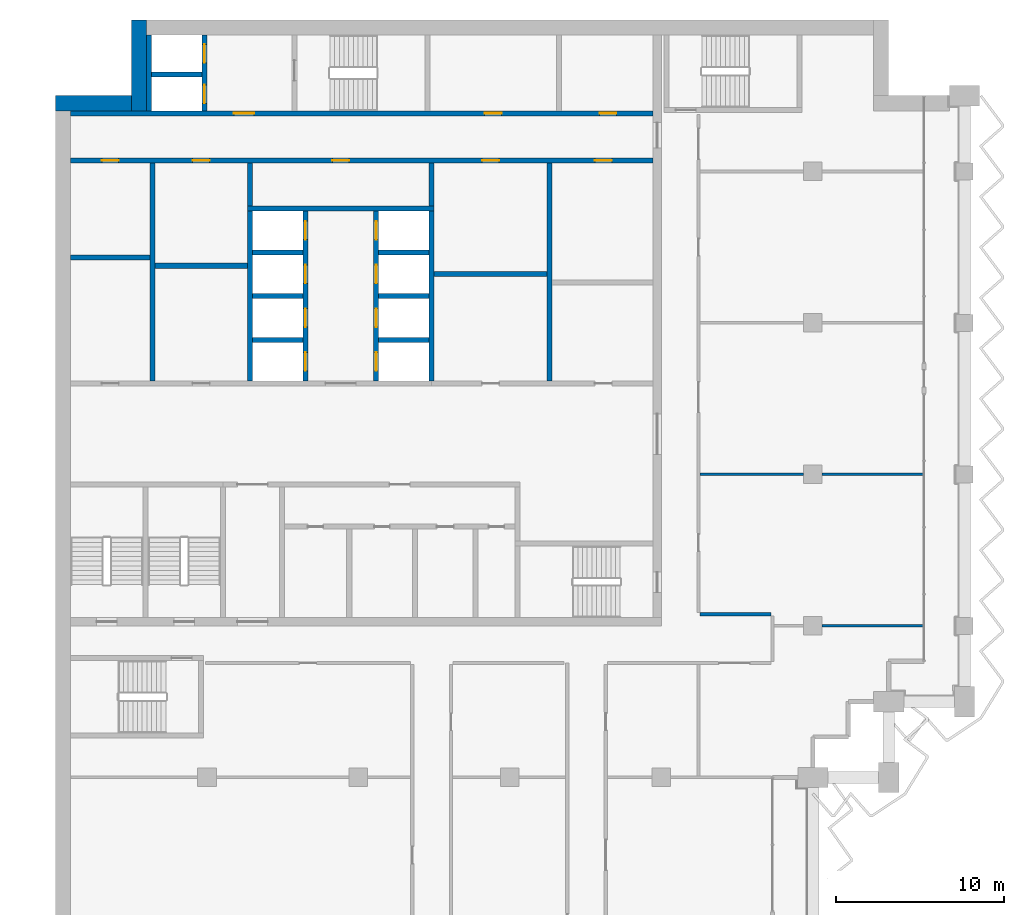
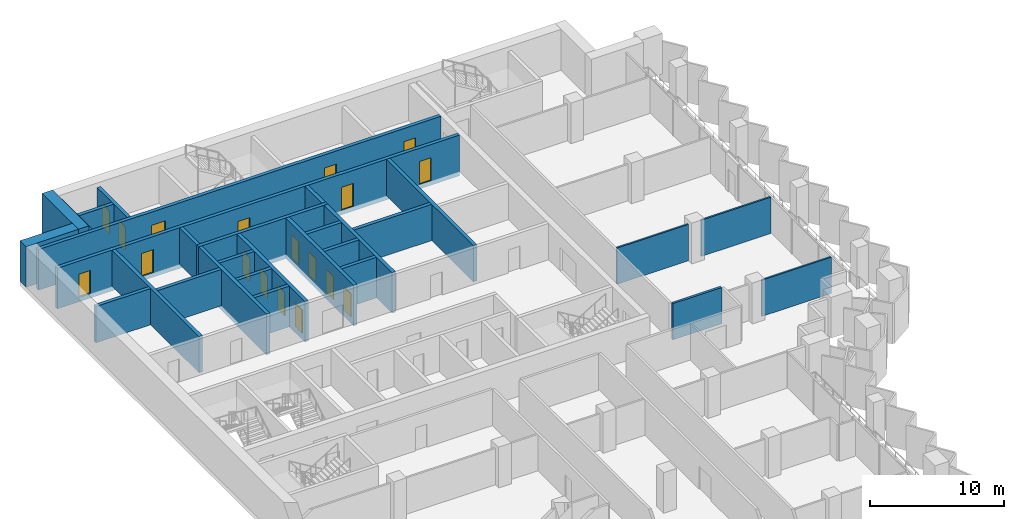
# One storey, part 10 of 17: 29 walls, 18 doors, 18 openings.
"""IFC4 building model written with IfcOpenShell, lengths in metres."""

from ifc_helpers import new_model, si_unit, direction, frame, frame_2d, origin, place, context, subcontext, project, spatial, rectangle, extrude, material, layer, layer_set, type_object, element, fill, save


model = new_model("IFC4")

# Units and contexts
model_context = context("Model", 3, precision=1e-05, world=origin(), true_north=direction((0.0, 1.0)))
body_context = subcontext(model_context, "Body", "Model", "MODEL_VIEW")
ifc_project = project(units=[si_unit("LENGTHUNIT", "METRE"), si_unit("AREAUNIT", "SQUARE_METRE"), si_unit("VOLUMEUNIT", "CUBIC_METRE"), si_unit("PLANEANGLEUNIT", "RADIAN"), si_unit("MASSUNIT", "GRAM", prefix="KILO")], contexts=[model_context])

# Site, building, storey
site_placement = place(None, origin())
site = spatial("IfcSite", under=ifc_project, at=site_placement, CompositionType="ELEMENT")
building_placement = place(site_placement, origin())
building = spatial("IfcBuilding", under=site, at=building_placement, Name="Hunhe Ridgeline Campus", CompositionType="ELEMENT")
storey_placement = place(building_placement, frame((0.0, 0.0, 208.699951171875)))
storey = spatial("IfcBuildingStorey", under=building, at=storey_placement, Name="L53", CompositionType="ELEMENT", Elevation=208.699951171875)

# Walls
ifc_material_1 = material(Name="Masonry concrete blockwork", Category="masonry")
ifc_layer_1 = layer(ifc_material_1, 0.300048828125)
ifc_layer_set_1 = layer_set([ifc_layer_1], Name="Core room partition 300 concrete block")
wall_type_1 = type_object("IfcWallType", Name="Core room partition 300 concrete block", PredefinedType="PARTITIONING", material=ifc_layer_set_1)
wall_1_placement = place(storey_placement, frame((22.5, 83.89990234375, 0.0), z_axis=(0.0, 0.0, 1.0), x_axis=(1.0, 0.0, 0.0)))
element("IfcWall", 1, at=wall_1_placement, inside=storey, type_object=wall_type_1, Name="L53 core partition 19", PredefinedType="PARTITIONING", context=body_context, shape_type="SweptSolid", body=[
    extrude(rectangle(XDim=6.699951171875, YDim=0.300048828125, at=frame_2d((3.35009765625, 0.0))), origin(), (0.0, 0.0, 1.0), 3.300048828125),
])
wall_2_placement = place(storey_placement, frame((5.89990234375, 84.39990234375, 0.0), z_axis=(0.0, 0.0, 1.0), x_axis=(1.0, 0.0, 0.0)))
element("IfcWall", 2, at=wall_2_placement, inside=storey, type_object=wall_type_1, Name="L53 core partition 20", PredefinedType="PARTITIONING", context=body_context, shape_type="SweptSolid", body=[
    extrude(rectangle(XDim=5.5, YDim=0.300048828125, at=frame_2d((2.75, 0.0))), origin(), (0.0, 0.0, 1.0), 3.300048828125),
])
wall_3_placement = place(storey_placement, frame((0.89990234375, 84.89990234375, 0.0), z_axis=(0.0, 0.0, 1.0), x_axis=(1.0, 0.0, 0.0)))
element("IfcWall", 3, at=wall_3_placement, inside=storey, type_object=wall_type_1, Name="L53 core partition 21", PredefinedType="PARTITIONING", context=body_context, shape_type="SweptSolid", body=[
    extrude(rectangle(XDim=4.7001953125, YDim=0.300048828125, at=frame_2d((2.35009765625, 0.0))), origin(), (0.0, 0.0, 1.0), 3.300048828125),
])
wall_4_placement = place(storey_placement, frame((5.75, 77.550048828125, 0.0), z_axis=(0.0, 0.0, 1.0), x_axis=(0.0, 1.0, 0.0)))
element("IfcWall", 4, at=wall_4_placement, inside=storey, type_object=wall_type_1, Name="L53 core partition 31", PredefinedType="PARTITIONING", context=body_context, shape_type="SweptSolid", body=[
    extrude(rectangle(XDim=12.949951171875, YDim=0.300048828125, at=frame_2d((6.47509765625, 0.0))), origin(), (0.0, 0.0, 1.0), 3.300048828125),
])
for number, where, z_axis, x_axis, name in (
    (5, (11.550048828125, 87.949951171875, 0.0), (0.0, 0.0, 1.0), (0.0, 1.0, 0.0), "L53 core partition 37"),
    (6, (22.35009765625, 87.949951171875, 0.0), (0.0, 0.0, 1.0), (0.0, 1.0, 0.0), "L53 core partition 47"),
):
    element("IfcWall", number, at=place(storey_placement, frame(where, z_axis=z_axis, x_axis=x_axis)), inside=storey, type_object=wall_type_1, Name=name, PredefinedType="PARTITIONING", context=body_context, shape_type="SweptSolid", body=[
        extrude(rectangle(XDim=2.550048828125, YDim=0.300048828125, at=frame_2d((1.27490234375, 0.0))), origin(), (0.0, 0.0, 1.0), 3.300048828125),
    ])
wall_5_placement = place(storey_placement, frame((29.35009765625, 77.550048828125, 0.0), z_axis=(0.0, 0.0, 1.0), x_axis=(0.0, 1.0, 0.0)))
element("IfcWall", 7, at=wall_5_placement, inside=storey, type_object=wall_type_1, Name="L53 core partition 52", PredefinedType="PARTITIONING", context=body_context, shape_type="SweptSolid", body=[
    extrude(rectangle(XDim=12.949951171875, YDim=0.300048828125, at=frame_2d((6.47509765625, 0.0))), origin(), (0.0, 0.0, 1.0), 3.300048828125),
])
ifc_material_2 = material(Name="Gypsum board partition")
ifc_layer_2 = layer(ifc_material_2, 0.199951171875)
ifc_layer_set_2 = layer_set([ifc_layer_2], Name="Corridor partition 200 gypsum board on steel studs")
wall_type_2 = type_object("IfcWallType", Name="Corridor partition 200 gypsum board on steel studs", PredefinedType="PARTITIONING", material=ifc_layer_set_2)
wall_6_placement = place(storey_placement, frame((38.300048828125, 63.699951171875, 0.0), z_axis=(0.0, 0.0, 1.0), x_axis=(1.0, 0.0, 0.0)))
element("IfcWall", 8, at=wall_6_placement, inside=storey, type_object=wall_type_2, Name="F-L53-wall-038", PredefinedType="PARTITIONING", context=body_context, shape_type="SweptSolid", body=[
    extrude(rectangle(XDim=4.199951171875, YDim=0.199951171875, at=frame_2d((2.10009765625, 0.0))), origin(), (0.0, 0.0, 1.0), 3.300048828125),
])

# Wall, openings, doors
ifc_material_3 = material(Name="Concrete C60", Category="concrete")
ifc_layer_3 = layer(ifc_material_3, 0.300048828125)
ifc_layer_set_3 = layer_set([ifc_layer_3], Name="Lobby wall 300 reinforced concrete C60")
wall_type_3 = type_object("IfcWallType", Name="Lobby wall 300 reinforced concrete C60", PredefinedType="SOLIDWALL", material=ifc_layer_set_3)
wall_7_placement = place(storey_placement, frame((0.89990234375, 90.64990234375, -0.39990234375), z_axis=(0.0, 0.0, 1.0), x_axis=(1.0, 0.0, 0.0)))
wall_7 = element("IfcWall", 9, at=wall_7_placement, inside=storey, type_object=wall_type_3, Name="L53 core wall 25", PredefinedType="SOLIDWALL", context=body_context, shape_type="SweptSolid", body=[
    extrude(rectangle(XDim=34.60009765625, YDim=0.300048828125, at=frame_2d((17.300048828125, 0.0))), origin(), (0.0, 0.0, 1.0), 3.699951171875),
])
opening_1_placement = place(wall_7_placement, frame((15.550048828125, 0.0, 0.39990234375)))
opening_1 = element("IfcOpeningElement", 10, at=opening_1_placement, cuts=wall_7, Name="Opening CD26", PredefinedType="OPENING", context=body_context, shape_type="SweptSolid", body=[
    extrude(rectangle(XDim=1.0, YDim=2.10009765625, at=frame_2d((0.5, 1.050048828125))), frame((0.0, 0.14990234375, 0.0), z_axis=(0.0, -1.0, 0.0), x_axis=(1.0, 0.0, 0.0)), (0.0, 0.0, 1.0), 0.300048828125),
])
opening_2_placement = place(wall_7_placement, frame((1.85009765625, 0.0, 0.39990234375)))
opening_2 = element("IfcOpeningElement", 11, at=opening_2_placement, cuts=wall_7, Name="Opening CD40", PredefinedType="OPENING", context=body_context, shape_type="SweptSolid", body=[
    extrude(rectangle(XDim=1.0, YDim=2.10009765625, at=frame_2d((0.5, 1.050048828125))), frame((0.0, 0.14990234375, 0.0), z_axis=(0.0, -1.0, 0.0), x_axis=(1.0, 0.0, 0.0)), (0.0, 0.0, 1.0), 0.300048828125),
])
opening_3_placement = place(wall_7_placement, frame((7.25, 0.0, 0.39990234375)))
opening_3 = element("IfcOpeningElement", 12, at=opening_3_placement, cuts=wall_7, Name="Opening CD43", PredefinedType="OPENING", context=body_context, shape_type="SweptSolid", body=[
    extrude(rectangle(XDim=1.0, YDim=2.10009765625, at=frame_2d((0.5, 1.050048828125))), frame((0.0, 0.14990234375, 0.0), z_axis=(0.0, -1.0, 0.0), x_axis=(1.0, 0.0, 0.0)), (0.0, 0.0, 1.0), 0.300048828125),
])
opening_4_placement = place(wall_7_placement, frame((24.449951171875, 0.0, 0.39990234375)))
opening_4 = element("IfcOpeningElement", 13, at=opening_4_placement, cuts=wall_7, Name="Opening CD33", PredefinedType="OPENING", context=body_context, shape_type="SweptSolid", body=[
    extrude(rectangle(XDim=1.0, YDim=2.10009765625, at=frame_2d((0.5, 1.050048828125))), frame((0.0, 0.14990234375, 0.0), z_axis=(0.0, -1.0, 0.0), x_axis=(1.0, 0.0, 0.0)), (0.0, 0.0, 1.0), 0.300048828125),
])
opening_5_placement = place(wall_7_placement, frame((31.14990234375, 0.0, 0.39990234375)))
opening_5 = element("IfcOpeningElement", 14, at=opening_5_placement, cuts=wall_7, Name="Opening CD44", PredefinedType="OPENING", context=body_context, shape_type="SweptSolid", body=[
    extrude(rectangle(XDim=1.0, YDim=2.10009765625, at=frame_2d((0.5, 1.050048828125))), frame((0.0, 0.14990234375, 0.0), z_axis=(0.0, -1.0, 0.0), x_axis=(1.0, 0.0, 0.0)), (0.0, 0.0, 1.0), 0.300048828125),
])
ifc_material_4 = material(Name="Solid core timber door leaf", Category="wood")
door_type_1 = type_object("IfcDoorType", Name="Timber door 1000x2100", OperationType="SINGLE_SWING_LEFT", PredefinedType="DOOR", material=ifc_material_4)
door_1_placement = place(opening_1_placement, frame((1.0, 0.0, 0.0), z_axis=(0.0, 0.0, 1.0), x_axis=(-1.0, 0.0, 0.0)))
door_1 = element("IfcDoor", 15, at=door_1_placement, inside=storey, type_object=door_type_1, Name="L53 door NR-0", OperationType="SINGLE_SWING_LEFT", OverallHeight=2.10009765625, OverallWidth=1.0, PredefinedType="DOOR", context=body_context, shape_type="SweptSolid", body=[
    extrude(rectangle(XDim=1.0, YDim=2.10009765625, at=frame_2d((0.5, 1.050048828125))), frame((0.0, 0.02490234375, 0.0), z_axis=(0.0, -1.0, 0.0), x_axis=(1.0, 0.0, 0.0)), (0.0, 0.0, 1.0), 0.050048828125),
])
fill(opening_1, door_1)
door_2_placement = place(opening_2_placement, frame((1.0, 0.0, 0.0), z_axis=(0.0, 0.0, 1.0), x_axis=(-1.0, 0.0, 0.0)))
door_2 = element("IfcDoor", 16, at=door_2_placement, inside=storey, type_object=door_type_1, Name="L53 door VD-LR1", OperationType="SINGLE_SWING_LEFT", OverallHeight=2.10009765625, OverallWidth=1.0, PredefinedType="DOOR", context=body_context, shape_type="SweptSolid", body=[
    extrude(rectangle(XDim=1.0, YDim=2.10009765625, at=frame_2d((0.5, 1.050048828125))), frame((0.0, 0.02490234375, 0.0), z_axis=(0.0, -1.0, 0.0), x_axis=(1.0, 0.0, 0.0)), (0.0, 0.0, 1.0), 0.050048828125),
])
fill(opening_2, door_2)
door_3_placement = place(opening_3_placement, frame((1.0, 0.0, 0.0), z_axis=(0.0, 0.0, 1.0), x_axis=(-1.0, 0.0, 0.0)))
door_3 = element("IfcDoor", 17, at=door_3_placement, inside=storey, type_object=door_type_1, Name="L53 door VD-LR3", OperationType="SINGLE_SWING_LEFT", OverallHeight=2.10009765625, OverallWidth=1.0, PredefinedType="DOOR", context=body_context, shape_type="SweptSolid", body=[
    extrude(rectangle(XDim=1.0, YDim=2.10009765625, at=frame_2d((0.5, 1.050048828125))), frame((0.0, 0.02490234375, 0.0), z_axis=(0.0, -1.0, 0.0), x_axis=(1.0, 0.0, 0.0)), (0.0, 0.0, 1.0), 0.050048828125),
])
fill(opening_3, door_3)
door_4_placement = place(opening_4_placement, frame((1.0, 0.0, 0.0), z_axis=(0.0, 0.0, 1.0), x_axis=(-1.0, 0.0, 0.0)))
door_4 = element("IfcDoor", 18, at=door_4_placement, inside=storey, type_object=door_type_1, Name="L53 door ES1", OperationType="SINGLE_SWING_RIGHT", OverallHeight=2.10009765625, OverallWidth=1.0, PredefinedType="DOOR", context=body_context, shape_type="SweptSolid", body=[
    extrude(rectangle(XDim=1.0, YDim=2.10009765625, at=frame_2d((0.5, 1.050048828125))), frame((0.0, 0.02490234375, 0.0), z_axis=(0.0, -1.0, 0.0), x_axis=(1.0, 0.0, 0.0)), (0.0, 0.0, 1.0), 0.050048828125),
])
fill(opening_4, door_4)
door_5_placement = place(opening_5_placement, frame((1.0, 0.0, 0.0), z_axis=(0.0, 0.0, 1.0), x_axis=(-1.0, 0.0, 0.0)))
door_5 = element("IfcDoor", 19, at=door_5_placement, inside=storey, type_object=door_type_1, Name="L53 door ES3", OperationType="SINGLE_SWING_RIGHT", OverallHeight=2.10009765625, OverallWidth=1.0, PredefinedType="DOOR", context=body_context, shape_type="SweptSolid", body=[
    extrude(rectangle(XDim=1.0, YDim=2.10009765625, at=frame_2d((0.5, 1.050048828125))), frame((0.0, 0.02490234375, 0.0), z_axis=(0.0, -1.0, 0.0), x_axis=(1.0, 0.0, 0.0)), (0.0, 0.0, 1.0), 0.050048828125),
])
fill(opening_5, door_5)

# Walls
ifc_layer_4 = layer(ifc_material_2, 0.14990234375)
ifc_layer_set_4 = layer_set([ifc_layer_4], Name="Room partition 150 gypsum board on steel studs")
wall_type_4 = type_object("IfcWallType", Name="Room partition 150 gypsum board on steel studs", PredefinedType="PARTITIONING", material=ifc_layer_set_4)
wall_8_placement = place(storey_placement, frame((45.550048828125, 63.0, 0.0), z_axis=(0.0, 0.0, 1.0), x_axis=(1.0, 0.0, 0.0)))
element("IfcWall", 20, at=wall_8_placement, inside=storey, type_object=wall_type_4, Name="F-L53-wall-037", PredefinedType="PARTITIONING", context=body_context, shape_type="SweptSolid", body=[
    extrude(rectangle(XDim=5.994873046875, YDim=0.14990234375, at=frame_2d((2.99755859375, 0.0))), origin(), (0.0, 0.0, 1.0), 3.300048828125),
])
wall_9_placement = place(storey_placement, frame((38.300048828125, 72.0, 0.0), z_axis=(0.0, 0.0, 1.0), x_axis=(1.0, 0.0, 0.0)))
element("IfcWall", 21, at=wall_9_placement, inside=storey, type_object=wall_type_4, Name="F-L53-wall-039", PredefinedType="PARTITIONING", context=body_context, shape_type="SweptSolid", body=[
    extrude(rectangle(XDim=6.14990234375, YDim=0.14990234375, at=frame_2d((3.074951171875, 0.0))), origin(), (0.0, 0.0, 1.0), 3.300048828125),
])
wall_10_placement = place(storey_placement, frame((45.550048828125, 72.0, 0.0), z_axis=(0.0, 0.0, 1.0), x_axis=(1.0, 0.0, 0.0)))
element("IfcWall", 22, at=wall_10_placement, inside=storey, type_object=wall_type_4, Name="F-L53-wall-040", PredefinedType="PARTITIONING", context=body_context, shape_type="SweptSolid", body=[
    extrude(rectangle(XDim=5.994873046875, YDim=0.14990234375, at=frame_2d((2.99755859375, 0.0))), origin(), (0.0, 0.0, 1.0), 3.300048828125),
])
ifc_layer_5 = layer(ifc_material_3, 0.300048828125)
ifc_layer_set_5 = layer_set([ifc_layer_5], Name="Shaft wall 300 reinforced concrete C60")
wall_type_5 = type_object("IfcWallType", Name="Shaft wall 300 reinforced concrete C60", PredefinedType="SOLIDWALL", material=ifc_layer_set_5)
for number, where, z_axis, x_axis, name in (
    (23, (11.699951171875, 80.0, -0.39990234375), (0.0, 0.0, 1.0), (1.0, 0.0, 0.0), "L53 core wall 14"),
    (24, (19.199951171875, 80.0, -0.39990234375), (0.0, 0.0, 1.0), (1.0, 0.0, 0.0), "L53 core wall 15"),
    (25, (11.699951171875, 82.60009765625, -0.39990234375), (0.0, 0.0, 1.0), (1.0, 0.0, 0.0), "L53 core wall 16"),
    (26, (19.199951171875, 82.60009765625, -0.39990234375), (0.0, 0.0, 1.0), (1.0, 0.0, 0.0), "L53 core wall 17"),
    (27, (11.699951171875, 85.199951171875, -0.39990234375), (0.0, 0.0, 1.0), (1.0, 0.0, 0.0), "L53 core wall 22"),
    (28, (19.199951171875, 85.199951171875, -0.39990234375), (0.0, 0.0, 1.0), (1.0, 0.0, 0.0), "L53 core wall 23"),
):
    element("IfcWall", number, at=place(storey_placement, frame(where, z_axis=z_axis, x_axis=x_axis)), inside=storey, type_object=wall_type_5, Name=name, PredefinedType="SOLIDWALL", context=body_context, shape_type="SweptSolid", body=[
        extrude(rectangle(XDim=3.0, YDim=0.300048828125, at=frame_2d((1.5, 0.0))), origin(), (0.0, 0.0, 1.0), 3.699951171875),
    ])
wall_11_placement = place(storey_placement, frame((11.39990234375, 87.800048828125, -0.39990234375), z_axis=(0.0, 0.0, 1.0), x_axis=(1.0, 0.0, 0.0)))
element("IfcWall", 29, at=wall_11_placement, inside=storey, type_object=wall_type_5, Name="L53 core wall 24", PredefinedType="SOLIDWALL", context=body_context, shape_type="SweptSolid", body=[
    extrude(rectangle(XDim=11.10009765625, YDim=0.300048828125, at=frame_2d((5.550048828125, 0.0))), origin(), (0.0, 0.0, 1.0), 3.699951171875),
])

# Wall, openings, doors
wall_12_placement = place(storey_placement, frame((0.89990234375, 93.449951171875, -0.39990234375), z_axis=(0.0, 0.0, 1.0), x_axis=(1.0, 0.0, 0.0)))
wall_12 = element("IfcWall", 30, at=wall_12_placement, inside=storey, type_object=wall_type_5, Name="L53 core wall 26", PredefinedType="SOLIDWALL", context=body_context, shape_type="SweptSolid", body=[
    extrude(rectangle(XDim=34.60009765625, YDim=0.300048828125, at=frame_2d((17.300048828125, 0.0))), origin(), (0.0, 0.0, 1.0), 3.699951171875),
])
opening_6_placement = place(wall_12_placement, frame((9.699951171875, 0.0, 0.39990234375)))
opening_6 = element("IfcOpeningElement", 31, at=opening_6_placement, cuts=wall_12, Name="Opening CD3", PredefinedType="OPENING", context=body_context, shape_type="SweptSolid", body=[
    extrude(rectangle(XDim=1.199951171875, YDim=2.10009765625, at=frame_2d((0.60009765625, 1.050048828125))), frame((0.0, 0.14990234375, 0.0), z_axis=(0.0, -1.0, 0.0), x_axis=(1.0, 0.0, 0.0)), (0.0, 0.0, 1.0), 0.300048828125),
])
opening_7_placement = place(wall_12_placement, frame((24.60009765625, 0.0, 0.39990234375)))
opening_7 = element("IfcOpeningElement", 32, at=opening_7_placement, cuts=wall_12, Name="Opening CD34", PredefinedType="OPENING", context=body_context, shape_type="SweptSolid", body=[
    extrude(rectangle(XDim=1.0, YDim=2.10009765625, at=frame_2d((0.5, 1.050048828125))), frame((0.0, 0.14990234375, 0.0), z_axis=(0.0, -1.0, 0.0), x_axis=(1.0, 0.0, 0.0)), (0.0, 0.0, 1.0), 0.300048828125),
])
opening_8_placement = place(wall_12_placement, frame((31.425048828125, 0.0, 0.39990234375)))
opening_8 = element("IfcOpeningElement", 33, at=opening_8_placement, cuts=wall_12, Name="Opening CD35", PredefinedType="OPENING", context=body_context, shape_type="SweptSolid", body=[
    extrude(rectangle(XDim=1.0, YDim=2.10009765625, at=frame_2d((0.5, 1.050048828125))), frame((0.0, 0.14990234375, 0.0), z_axis=(0.0, -1.0, 0.0), x_axis=(1.0, 0.0, 0.0)), (0.0, 0.0, 1.0), 0.300048828125),
])
ifc_material_5 = material(Name="Hollow metal fire door leaf")
door_type_2 = type_object("IfcDoorType", Name="Lobby door 1200x2100 FD60", OperationType="SINGLE_SWING_LEFT", PredefinedType="DOOR", material=ifc_material_5)
door_6_placement = place(opening_6_placement, frame((1.199951171875, 0.0, 0.0), z_axis=(0.0, 0.0, 1.0), x_axis=(-1.0, 0.0, 0.0)))
door_6 = element("IfcDoor", 34, at=door_6_placement, inside=storey, type_object=door_type_2, Name="L53 door FF-C1", OperationType="SINGLE_SWING_RIGHT", OverallHeight=2.10009765625, OverallWidth=1.199951171875, PredefinedType="DOOR", context=body_context, shape_type="SweptSolid", body=[
    extrude(rectangle(XDim=1.199951171875, YDim=2.10009765625, at=frame_2d((0.60009765625, 1.050048828125))), frame((0.0, 0.02490234375, 0.0), z_axis=(0.0, -1.0, 0.0), x_axis=(1.0, 0.0, 0.0)), (0.0, 0.0, 1.0), 0.050048828125),
])
fill(opening_6, door_6)
door_7_placement = place(opening_7_placement, origin())
door_7 = element("IfcDoor", 35, at=door_7_placement, inside=storey, type_object=door_type_1, Name="L53 door NB0", OperationType="SINGLE_SWING_RIGHT", OverallHeight=2.10009765625, OverallWidth=1.0, PredefinedType="DOOR", context=body_context, shape_type="SweptSolid", body=[
    extrude(rectangle(XDim=1.0, YDim=2.10009765625, at=frame_2d((0.5, 1.050048828125))), frame((0.0, 0.02490234375, 0.0), z_axis=(0.0, -1.0, 0.0), x_axis=(1.0, 0.0, 0.0)), (0.0, 0.0, 1.0), 0.050048828125),
])
fill(opening_7, door_7)
door_8_placement = place(opening_8_placement, origin())
door_8 = element("IfcDoor", 36, at=door_8_placement, inside=storey, type_object=door_type_1, Name="L53 door NB1", OperationType="SINGLE_SWING_LEFT", OverallHeight=2.10009765625, OverallWidth=1.0, PredefinedType="DOOR", context=body_context, shape_type="SweptSolid", body=[
    extrude(rectangle(XDim=1.0, YDim=2.10009765625, at=frame_2d((0.5, 1.050048828125))), frame((0.0, 0.02490234375, 0.0), z_axis=(0.0, -1.0, 0.0), x_axis=(1.0, 0.0, 0.0)), (0.0, 0.0, 1.0), 0.050048828125),
])
fill(opening_8, door_8)

# Walls
wall_13_placement = place(storey_placement, frame((5.699951171875, 95.75, -0.39990234375), z_axis=(0.0, 0.0, 1.0), x_axis=(1.0, 0.0, 0.0)))
element("IfcWall", 37, at=wall_13_placement, inside=storey, type_object=wall_type_5, Name="L53 core wall 28", PredefinedType="SOLIDWALL", context=body_context, shape_type="SweptSolid", body=[
    extrude(rectangle(XDim=3.0, YDim=0.300048828125, at=frame_2d((1.5, 0.0))), origin(), (0.0, 0.0, 1.0), 3.699951171875),
])
wall_14_placement = place(storey_placement, frame((5.550048828125, 93.60009765625, -0.39990234375), z_axis=(0.0, 0.0, 1.0), x_axis=(0.0, 1.0, 0.0)))
element("IfcWall", 38, at=wall_14_placement, inside=storey, type_object=wall_type_5, Name="L53 core wall 30", PredefinedType="SOLIDWALL", context=body_context, shape_type="SweptSolid", body=[
    extrude(rectangle(XDim=4.5, YDim=0.300048828125, at=frame_2d((2.25, 0.0))), origin(), (0.0, 0.0, 1.0), 3.699951171875),
])

# Wall, openings, doors
wall_15_placement = place(storey_placement, frame((8.85009765625, 93.60009765625, -0.39990234375), z_axis=(0.0, 0.0, 1.0), x_axis=(0.0, 1.0, 0.0)))
wall_15 = element("IfcWall", 39, at=wall_15_placement, inside=storey, type_object=wall_type_5, Name="L53 core wall 34", PredefinedType="SOLIDWALL", context=body_context, shape_type="SweptSolid", body=[
    extrude(rectangle(XDim=4.5, YDim=0.300048828125, at=frame_2d((2.25, 0.0))), origin(), (0.0, 0.0, 1.0), 3.699951171875),
])
opening_9_placement = place(wall_15_placement, frame((0.449951171875, 0.0, 0.39990234375)))
opening_9 = element("IfcOpeningElement", 40, at=opening_9_placement, cuts=wall_15, Name="Opening LD-FF1", PredefinedType="OPENING", context=body_context, shape_type="SweptSolid", body=[
    extrude(rectangle(XDim=1.10009765625, YDim=2.10009765625, at=frame_2d((0.550048828125, 1.050048828125))), frame((0.0, 0.14990234375, 0.0), z_axis=(0.0, -1.0, 0.0), x_axis=(1.0, 0.0, 0.0)), (0.0, 0.0, 1.0), 0.300048828125),
])
opening_10_placement = place(wall_15_placement, frame((2.85009765625, 0.0, 0.39990234375)))
opening_10 = element("IfcOpeningElement", 41, at=opening_10_placement, cuts=wall_15, Name="Opening LD-FF2", PredefinedType="OPENING", context=body_context, shape_type="SweptSolid", body=[
    extrude(rectangle(XDim=1.10009765625, YDim=2.10009765625, at=frame_2d((0.550048828125, 1.050048828125))), frame((0.0, 0.14990234375, 0.0), z_axis=(0.0, -1.0, 0.0), x_axis=(1.0, 0.0, 0.0)), (0.0, 0.0, 1.0), 0.300048828125),
])
ifc_material_6 = material(Name="Stainless steel sliding leaves", Category="steel")
door_type_3 = type_object("IfcDoorType", Name="Landing door 1100x2100 FD120", OperationType="SLIDING_TO_LEFT", PredefinedType="DOOR", material=ifc_material_6)
door_9_placement = place(opening_9_placement, origin())
door_9 = element("IfcDoor", 42, at=door_9_placement, inside=storey, type_object=door_type_3, Name="L53 landing door FF1", OperationType="SLIDING_TO_RIGHT", OverallHeight=2.10009765625, OverallWidth=1.10009765625, PredefinedType="DOOR", context=body_context, shape_type="SweptSolid", body=[
    extrude(rectangle(XDim=1.10009765625, YDim=2.10009765625, at=frame_2d((0.550048828125, 1.050048828125))), frame((0.0, 0.02490234375, 0.0), z_axis=(0.0, -1.0, 0.0), x_axis=(1.0, 0.0, 0.0)), (0.0, 0.0, 1.0), 0.050048828125),
])
fill(opening_9, door_9)
door_10_placement = place(opening_10_placement, origin())
door_10 = element("IfcDoor", 43, at=door_10_placement, inside=storey, type_object=door_type_3, Name="L53 landing door FF2", OperationType="SLIDING_TO_LEFT", OverallHeight=2.10009765625, OverallWidth=1.10009765625, PredefinedType="DOOR", context=body_context, shape_type="SweptSolid", body=[
    extrude(rectangle(XDim=1.10009765625, YDim=2.10009765625, at=frame_2d((0.550048828125, 1.050048828125))), frame((0.0, 0.02490234375, 0.0), z_axis=(0.0, -1.0, 0.0), x_axis=(1.0, 0.0, 0.0)), (0.0, 0.0, 1.0), 0.050048828125),
])
fill(opening_10, door_10)

# Wall
wall_16_placement = place(storey_placement, frame((11.550048828125, 77.550048828125, -0.39990234375), z_axis=(0.0, 0.0, 1.0), x_axis=(0.0, 1.0, 0.0)))
element("IfcWall", 44, at=wall_16_placement, inside=storey, type_object=wall_type_5, Name="L53 core wall 36", PredefinedType="SOLIDWALL", context=body_context, shape_type="SweptSolid", body=[
    extrude(rectangle(XDim=10.099853515625, YDim=0.300048828125, at=frame_2d((5.0498046875, 0.0))), origin(), (0.0, 0.0, 1.0), 3.699951171875),
])

# Wall, openings, doors
wall_17_placement = place(storey_placement, frame((14.85009765625, 77.550048828125, -0.39990234375), z_axis=(0.0, 0.0, 1.0), x_axis=(0.0, 1.0, 0.0)))
wall_17 = element("IfcWall", 45, at=wall_17_placement, inside=storey, type_object=wall_type_5, Name="L53 core wall 40", PredefinedType="SOLIDWALL", context=body_context, shape_type="SweptSolid", body=[
    extrude(rectangle(XDim=10.099853515625, YDim=0.300048828125, at=frame_2d((5.0498046875, 0.0))), origin(), (0.0, 0.0, 1.0), 3.699951171875),
])
opening_11_placement = place(wall_17_placement, frame((0.60009765625, 0.0, 0.39990234375)))
opening_11 = element("IfcOpeningElement", 46, at=opening_11_placement, cuts=wall_17, Name="Opening LD-HR1", PredefinedType="OPENING", context=body_context, shape_type="SweptSolid", body=[
    extrude(rectangle(XDim=1.10009765625, YDim=2.10009765625, at=frame_2d((0.550048828125, 1.050048828125))), frame((0.0, 0.14990234375, 0.0), z_axis=(0.0, -1.0, 0.0), x_axis=(1.0, 0.0, 0.0)), (0.0, 0.0, 1.0), 0.300048828125),
])
opening_12_placement = place(wall_17_placement, frame((3.199951171875, 0.0, 0.39990234375)))
opening_12 = element("IfcOpeningElement", 47, at=opening_12_placement, cuts=wall_17, Name="Opening LD-HR2", PredefinedType="OPENING", context=body_context, shape_type="SweptSolid", body=[
    extrude(rectangle(XDim=1.10009765625, YDim=2.10009765625, at=frame_2d((0.550048828125, 1.050048828125))), frame((0.0, 0.14990234375, 0.0), z_axis=(0.0, -1.0, 0.0), x_axis=(1.0, 0.0, 0.0)), (0.0, 0.0, 1.0), 0.300048828125),
])
opening_13_placement = place(wall_17_placement, frame((5.800048828125, 0.0, 0.39990234375)))
opening_13 = element("IfcOpeningElement", 48, at=opening_13_placement, cuts=wall_17, Name="Opening LD-HR3", PredefinedType="OPENING", context=body_context, shape_type="SweptSolid", body=[
    extrude(rectangle(XDim=1.10009765625, YDim=2.10009765625, at=frame_2d((0.550048828125, 1.050048828125))), frame((0.0, 0.14990234375, 0.0), z_axis=(0.0, -1.0, 0.0), x_axis=(1.0, 0.0, 0.0)), (0.0, 0.0, 1.0), 0.300048828125),
])
opening_14_placement = place(wall_17_placement, frame((8.39990234375, 0.0, 0.39990234375)))
opening_14 = element("IfcOpeningElement", 49, at=opening_14_placement, cuts=wall_17, Name="Opening LD-HR4", PredefinedType="OPENING", context=body_context, shape_type="SweptSolid", body=[
    extrude(rectangle(XDim=1.10009765625, YDim=2.10009765625, at=frame_2d((0.550048828125, 1.050048828125))), frame((0.0, 0.14990234375, 0.0), z_axis=(0.0, -1.0, 0.0), x_axis=(1.0, 0.0, 0.0)), (0.0, 0.0, 1.0), 0.300048828125),
])
door_11_placement = place(opening_11_placement, origin())
door_11 = element("IfcDoor", 50, at=door_11_placement, inside=storey, type_object=door_type_3, Name="L53 landing door HR1", OperationType="SLIDING_TO_RIGHT", OverallHeight=2.10009765625, OverallWidth=1.10009765625, PredefinedType="DOOR", context=body_context, shape_type="SweptSolid", body=[
    extrude(rectangle(XDim=1.10009765625, YDim=2.10009765625, at=frame_2d((0.550048828125, 1.050048828125))), frame((0.0, 0.02490234375, 0.0), z_axis=(0.0, -1.0, 0.0), x_axis=(1.0, 0.0, 0.0)), (0.0, 0.0, 1.0), 0.050048828125),
])
fill(opening_11, door_11)
door_12_placement = place(opening_12_placement, origin())
door_12 = element("IfcDoor", 51, at=door_12_placement, inside=storey, type_object=door_type_3, Name="L53 landing door HR2", OperationType="SLIDING_TO_LEFT", OverallHeight=2.10009765625, OverallWidth=1.10009765625, PredefinedType="DOOR", context=body_context, shape_type="SweptSolid", body=[
    extrude(rectangle(XDim=1.10009765625, YDim=2.10009765625, at=frame_2d((0.550048828125, 1.050048828125))), frame((0.0, 0.02490234375, 0.0), z_axis=(0.0, -1.0, 0.0), x_axis=(1.0, 0.0, 0.0)), (0.0, 0.0, 1.0), 0.050048828125),
])
fill(opening_12, door_12)
door_13_placement = place(opening_13_placement, origin())
door_13 = element("IfcDoor", 52, at=door_13_placement, inside=storey, type_object=door_type_3, Name="L53 landing door HR3", OperationType="SLIDING_TO_RIGHT", OverallHeight=2.10009765625, OverallWidth=1.10009765625, PredefinedType="DOOR", context=body_context, shape_type="SweptSolid", body=[
    extrude(rectangle(XDim=1.10009765625, YDim=2.10009765625, at=frame_2d((0.550048828125, 1.050048828125))), frame((0.0, 0.02490234375, 0.0), z_axis=(0.0, -1.0, 0.0), x_axis=(1.0, 0.0, 0.0)), (0.0, 0.0, 1.0), 0.050048828125),
])
fill(opening_13, door_13)
door_14_placement = place(opening_14_placement, origin())
door_14 = element("IfcDoor", 53, at=door_14_placement, inside=storey, type_object=door_type_3, Name="L53 landing door HR4", OperationType="SLIDING_TO_LEFT", OverallHeight=2.10009765625, OverallWidth=1.10009765625, PredefinedType="DOOR", context=body_context, shape_type="SweptSolid", body=[
    extrude(rectangle(XDim=1.10009765625, YDim=2.10009765625, at=frame_2d((0.550048828125, 1.050048828125))), frame((0.0, 0.02490234375, 0.0), z_axis=(0.0, -1.0, 0.0), x_axis=(1.0, 0.0, 0.0)), (0.0, 0.0, 1.0), 0.050048828125),
])
fill(opening_14, door_14)

wall_18_placement = place(storey_placement, frame((19.050048828125, 77.550048828125, -0.39990234375), z_axis=(0.0, 0.0, 1.0), x_axis=(0.0, 1.0, 0.0)))
wall_18 = element("IfcWall", 54, at=wall_18_placement, inside=storey, type_object=wall_type_5, Name="L53 core wall 42", PredefinedType="SOLIDWALL", context=body_context, shape_type="SweptSolid", body=[
    extrude(rectangle(XDim=10.099853515625, YDim=0.300048828125, at=frame_2d((5.0498046875, 0.0))), origin(), (0.0, 0.0, 1.0), 3.699951171875),
])
opening_15_placement = place(wall_18_placement, frame((0.60009765625, 0.0, 0.39990234375)))
opening_15 = element("IfcOpeningElement", 55, at=opening_15_placement, cuts=wall_18, Name="Opening LD-HR5", PredefinedType="OPENING", context=body_context, shape_type="SweptSolid", body=[
    extrude(rectangle(XDim=1.10009765625, YDim=2.10009765625, at=frame_2d((0.550048828125, 1.050048828125))), frame((0.0, 0.14990234375, 0.0), z_axis=(0.0, -1.0, 0.0), x_axis=(1.0, 0.0, 0.0)), (0.0, 0.0, 1.0), 0.300048828125),
])
opening_16_placement = place(wall_18_placement, frame((3.199951171875, 0.0, 0.39990234375)))
opening_16 = element("IfcOpeningElement", 56, at=opening_16_placement, cuts=wall_18, Name="Opening LD-HR6", PredefinedType="OPENING", context=body_context, shape_type="SweptSolid", body=[
    extrude(rectangle(XDim=1.10009765625, YDim=2.10009765625, at=frame_2d((0.550048828125, 1.050048828125))), frame((0.0, 0.14990234375, 0.0), z_axis=(0.0, -1.0, 0.0), x_axis=(1.0, 0.0, 0.0)), (0.0, 0.0, 1.0), 0.300048828125),
])
opening_17_placement = place(wall_18_placement, frame((5.800048828125, 0.0, 0.39990234375)))
opening_17 = element("IfcOpeningElement", 57, at=opening_17_placement, cuts=wall_18, Name="Opening LD-HR7", PredefinedType="OPENING", context=body_context, shape_type="SweptSolid", body=[
    extrude(rectangle(XDim=1.10009765625, YDim=2.10009765625, at=frame_2d((0.550048828125, 1.050048828125))), frame((0.0, 0.14990234375, 0.0), z_axis=(0.0, -1.0, 0.0), x_axis=(1.0, 0.0, 0.0)), (0.0, 0.0, 1.0), 0.300048828125),
])
opening_18_placement = place(wall_18_placement, frame((8.39990234375, 0.0, 0.39990234375)))
opening_18 = element("IfcOpeningElement", 58, at=opening_18_placement, cuts=wall_18, Name="Opening LD-HR8", PredefinedType="OPENING", context=body_context, shape_type="SweptSolid", body=[
    extrude(rectangle(XDim=1.10009765625, YDim=2.10009765625, at=frame_2d((0.550048828125, 1.050048828125))), frame((0.0, 0.14990234375, 0.0), z_axis=(0.0, -1.0, 0.0), x_axis=(1.0, 0.0, 0.0)), (0.0, 0.0, 1.0), 0.300048828125),
])
door_15_placement = place(opening_15_placement, origin())
door_15 = element("IfcDoor", 59, at=door_15_placement, inside=storey, type_object=door_type_3, Name="L53 landing door HR5", OperationType="SLIDING_TO_RIGHT", OverallHeight=2.10009765625, OverallWidth=1.10009765625, PredefinedType="DOOR", context=body_context, shape_type="SweptSolid", body=[
    extrude(rectangle(XDim=1.10009765625, YDim=2.10009765625, at=frame_2d((0.550048828125, 1.050048828125))), frame((0.0, 0.02490234375, 0.0), z_axis=(0.0, -1.0, 0.0), x_axis=(1.0, 0.0, 0.0)), (0.0, 0.0, 1.0), 0.050048828125),
])
fill(opening_15, door_15)
door_16_placement = place(opening_16_placement, origin())
door_16 = element("IfcDoor", 60, at=door_16_placement, inside=storey, type_object=door_type_3, Name="L53 landing door HR6", OperationType="SLIDING_TO_LEFT", OverallHeight=2.10009765625, OverallWidth=1.10009765625, PredefinedType="DOOR", context=body_context, shape_type="SweptSolid", body=[
    extrude(rectangle(XDim=1.10009765625, YDim=2.10009765625, at=frame_2d((0.550048828125, 1.050048828125))), frame((0.0, 0.02490234375, 0.0), z_axis=(0.0, -1.0, 0.0), x_axis=(1.0, 0.0, 0.0)), (0.0, 0.0, 1.0), 0.050048828125),
])
fill(opening_16, door_16)
door_17_placement = place(opening_17_placement, origin())
door_17 = element("IfcDoor", 61, at=door_17_placement, inside=storey, type_object=door_type_3, Name="L53 landing door HR7", OperationType="SLIDING_TO_RIGHT", OverallHeight=2.10009765625, OverallWidth=1.10009765625, PredefinedType="DOOR", context=body_context, shape_type="SweptSolid", body=[
    extrude(rectangle(XDim=1.10009765625, YDim=2.10009765625, at=frame_2d((0.550048828125, 1.050048828125))), frame((0.0, 0.02490234375, 0.0), z_axis=(0.0, -1.0, 0.0), x_axis=(1.0, 0.0, 0.0)), (0.0, 0.0, 1.0), 0.050048828125),
])
fill(opening_17, door_17)
door_18_placement = place(opening_18_placement, origin())
door_18 = element("IfcDoor", 62, at=door_18_placement, inside=storey, type_object=door_type_3, Name="L53 landing door HR8", OperationType="SLIDING_TO_LEFT", OverallHeight=2.10009765625, OverallWidth=1.10009765625, PredefinedType="DOOR", context=body_context, shape_type="SweptSolid", body=[
    extrude(rectangle(XDim=1.10009765625, YDim=2.10009765625, at=frame_2d((0.550048828125, 1.050048828125))), frame((0.0, 0.02490234375, 0.0), z_axis=(0.0, -1.0, 0.0), x_axis=(1.0, 0.0, 0.0)), (0.0, 0.0, 1.0), 0.050048828125),
])
fill(opening_18, door_18)

# Walls
wall_19_placement = place(storey_placement, frame((22.35009765625, 77.550048828125, -0.39990234375), z_axis=(0.0, 0.0, 1.0), x_axis=(0.0, 1.0, 0.0)))
element("IfcWall", 63, at=wall_19_placement, inside=storey, type_object=wall_type_5, Name="L53 core wall 46", PredefinedType="SOLIDWALL", context=body_context, shape_type="SweptSolid", body=[
    extrude(rectangle(XDim=10.099853515625, YDim=0.300048828125, at=frame_2d((5.0498046875, 0.0))), origin(), (0.0, 0.0, 1.0), 3.699951171875),
])
ifc_layer_6 = layer(ifc_material_3, 0.89990234375)
ifc_layer_set_6 = layer_set([ifc_layer_6], Name="Spine wall 900 Concrete C60")
wall_type_6 = type_object("IfcWallType", Name="Spine wall 900 Concrete C60", PredefinedType="SHEAR", material=ifc_layer_set_6)
for number, where, z_axis, x_axis, name in (
    (64, (4.949951171875, 99.0, 0.0), (0.0, 0.0, 1.0), (0.0, -1.0, 0.0), "Spine wall SW3-5 L53"),
    (65, (5.400146484375, 94.050048828125, 0.0), (0.0, 0.0, 1.0), (-1.0, 0.0, 0.0), "Spine wall SW3-6 L53"),
):
    element("IfcWall", number, at=place(storey_placement, frame(where, z_axis=z_axis, x_axis=x_axis)), inside=storey, type_object=wall_type_6, Name=name, PredefinedType="SHEAR", context=body_context, shape_type="SweptSolid", body=[
        extrude(rectangle(XDim=5.400146484375, YDim=0.89990234375, at=frame_2d((2.7001953125, 0.0))), origin(), (0.0, 0.0, 1.0), 3.699951171875),
    ])

save(model, "model.ifc")
